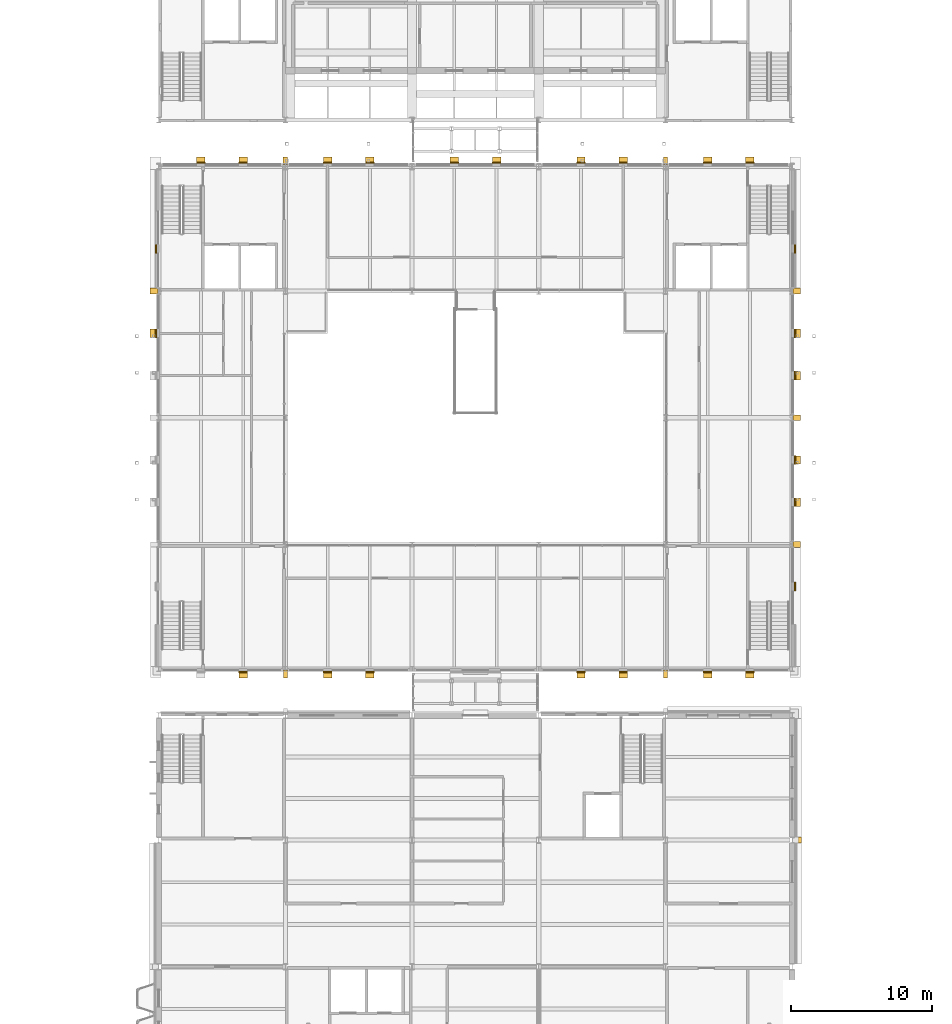
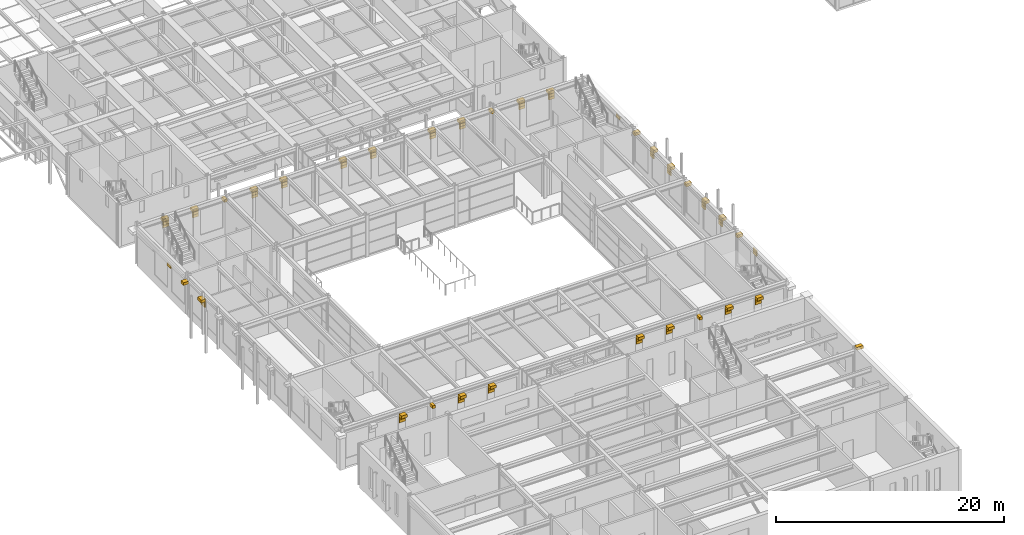
# One storey, part 152 of 153: 79 coverings.
"""IFC4 building model written with IfcOpenShell, lengths in metres."""

from ifc_helpers import new_model, si_unit, direction, frame, origin, origin_2d, place, context, subcontext, project, spatial, rectangle, extrude, material, layer, layer_set, type_object, element, save


model = new_model("IFC4")

# Units and contexts
model_context = context("Model", 3, precision=1e-05, world=origin(), true_north=direction((0.0, 1.0)))
body_context = subcontext(model_context, "Body", "Model", "MODEL_VIEW")
ifc_project = project(units=[si_unit("LENGTHUNIT", "METRE"), si_unit("AREAUNIT", "SQUARE_METRE"), si_unit("VOLUMEUNIT", "CUBIC_METRE"), si_unit("PLANEANGLEUNIT", "RADIAN"), si_unit("MASSUNIT", "GRAM", prefix="KILO")], contexts=[model_context])

# Site, building, storey
site_placement = place(None, origin())
site = spatial("IfcSite", under=ifc_project, at=site_placement, CompositionType="ELEMENT")
building_placement = place(site_placement, origin())
building = spatial("IfcBuilding", under=site, at=building_placement, Name="Kallimachos Central Library", CompositionType="ELEMENT")
storey_placement = place(building_placement, frame((0.0, 0.0, 5.39990234375)))
storey = spatial("IfcBuildingStorey", under=building, at=storey_placement, Name="L01", CompositionType="ELEMENT", Elevation=5.39990234375)

# Coverings
ifc_material_1 = material(Name="Glazed ceramic frieze, green")
ifc_layer_1 = layer(ifc_material_1, 0.10009765625)
ifc_layer_set_1 = layer_set([ifc_layer_1], Name="Glazed ceramic frieze, green")
covering_type_1 = type_object("IfcCoveringType", Name="Glazed ceramic frieze, green", PredefinedType="CLADDING", material=ifc_layer_set_1)
for number, where, z_axis, x_axis, name in (
    (1, (71.5, 47.929931640625, 3.18017578125), (0.0, 0.0, 1.0), (1.0, 0.0, 0.0), "Glazed ceramic frieze, green -L01-015"),
    (2, (77.5, 47.929931640625, 3.18017578125), (0.0, 0.0, 1.0), (1.0, 0.0, 0.0), "Glazed ceramic frieze, green -L01-016"),
    (3, (80.5, 47.929931640625, 3.18017578125), (0.0, 0.0, 1.0), (1.0, 0.0, 0.0), "Glazed ceramic frieze, green -L01-016"),
    (4, (95.5, 47.929931640625, 3.18017578125), (0.0, 0.0, 1.0), (1.0, 0.0, 0.0), "Glazed ceramic frieze, green -L01-018"),
    (5, (98.5, 47.929931640625, 3.18017578125), (0.0, 0.0, 1.0), (1.0, 0.0, 0.0), "Glazed ceramic frieze, green -L01-018"),
    (6, (104.5, 47.929931640625, 3.18017578125), (0.0, 0.0, 1.0), (1.0, 0.0, 0.0), "Glazed ceramic frieze, green -L01-019"),
    (7, (107.5, 47.929931640625, 3.18017578125), (0.0, 0.0, 1.0), (1.0, 0.0, 0.0), "Glazed ceramic frieze, green -L01-019"),
    (8, (68.5, 84.115966796875, 3.1298828125), (0.0, 0.0, 1.0), (1.0, 0.0, 0.0), "Glazed ceramic frieze, green -L01-020"),
    (9, (71.5, 84.115966796875, 3.1298828125), (0.0, 0.0, 1.0), (1.0, 0.0, 0.0), "Glazed ceramic frieze, green -L01-020"),
    (10, (77.5, 84.115966796875, 3.1298828125), (0.0, 0.0, 1.0), (1.0, 0.0, 0.0), "Glazed ceramic frieze, green -L01-021"),
    (11, (80.5, 84.115966796875, 3.1298828125), (0.0, 0.0, 1.0), (1.0, 0.0, 0.0), "Glazed ceramic frieze, green -L01-021"),
    (12, (86.5, 84.115966796875, 3.1298828125), (0.0, 0.0, 1.0), (1.0, 0.0, 0.0), "Glazed ceramic frieze, green -L01-022"),
    (13, (89.5, 84.115966796875, 3.1298828125), (0.0, 0.0, 1.0), (1.0, 0.0, 0.0), "Glazed ceramic frieze, green -L01-022"),
    (14, (95.5, 84.115966796875, 3.1298828125), (0.0, 0.0, 1.0), (1.0, 0.0, 0.0), "Glazed ceramic frieze, green -L01-023"),
    (15, (98.5, 84.115966796875, 3.1298828125), (0.0, 0.0, 1.0), (1.0, 0.0, 0.0), "Glazed ceramic frieze, green -L01-023"),
    (16, (104.5, 84.115966796875, 3.1298828125), (0.0, 0.0, 1.0), (1.0, 0.0, 0.0), "Glazed ceramic frieze, green -L01-024"),
    (17, (107.5, 84.115966796875, 3.1298828125), (0.0, 0.0, 1.0), (1.0, 0.0, 0.0), "Glazed ceramic frieze, green -L01-024"),
):
    element("IfcCovering", number, at=place(storey_placement, frame(where, z_axis=z_axis, x_axis=x_axis)), inside=storey, type_object=covering_type_1, Name=name, PredefinedType="CLADDING", context=body_context, shape_type="SweptSolid", body=[
        extrude(rectangle(XDim=0.60009765625, YDim=0.10009765625, at=origin_2d()), origin(), (0.0, 0.0, 1.0), 0.300048828125),
    ])
for number, where, z_axis, x_axis, name in (
    (18, (65.29541015625, 72.0, 3.1298828125), (0.0, 0.0, 1.0), (1.0, 0.0, 0.0), "Glazed ceramic frieze, green -L01-027"),
    (19, (110.699951171875, 54.0, 3.6298828125), (0.0, 0.0, 1.0), (1.0, 0.0, 0.0), "Glazed ceramic frieze, green -L01-029"),
    (20, (110.699951171875, 60.0, 3.1298828125), (0.0, 0.0, 1.0), (1.0, 0.0, 0.0), "Glazed ceramic frieze, green -L01-030"),
    (21, (110.699951171875, 63.0, 3.1298828125), (0.0, 0.0, 1.0), (1.0, 0.0, 0.0), "Glazed ceramic frieze, green -L01-030"),
    (22, (110.699951171875, 69.0, 3.1298828125), (0.0, 0.0, 1.0), (1.0, 0.0, 0.0), "Glazed ceramic frieze, green -L01-031"),
    (23, (110.699951171875, 72.0, 3.1298828125), (0.0, 0.0, 1.0), (1.0, 0.0, 0.0), "Glazed ceramic frieze, green -L01-031"),
):
    element("IfcCovering", number, at=place(storey_placement, frame(where, z_axis=z_axis, x_axis=x_axis)), inside=storey, type_object=covering_type_1, Name=name, PredefinedType="CLADDING", context=body_context, shape_type="SweptSolid", body=[
        extrude(rectangle(XDim=0.10009765625, YDim=0.60009765625, at=origin_2d()), origin(), (0.0, 0.0, 1.0), 0.300048828125),
    ])
ifc_material_2 = material(Name="Glazed ceramic frieze, ochre")
ifc_layer_2 = layer(ifc_material_2, 0.10009765625)
ifc_layer_set_2 = layer_set([ifc_layer_2], Name="Glazed ceramic frieze, ochre")
covering_type_2 = type_object("IfcCoveringType", Name="Glazed ceramic frieze, ochre", PredefinedType="CLADDING", material=ifc_layer_set_2)
for number, where, z_axis, x_axis, name in (
    (24, (71.5, 47.929931640625, 2.8798828125), (0.0, 0.0, 1.0), (1.0, 0.0, 0.0), "Glazed ceramic frieze, ochre -L01-015"),
    (25, (77.5, 47.929931640625, 2.8798828125), (0.0, 0.0, 1.0), (1.0, 0.0, 0.0), "Glazed ceramic frieze, ochre -L01-016"),
    (26, (80.5, 47.929931640625, 2.8798828125), (0.0, 0.0, 1.0), (1.0, 0.0, 0.0), "Glazed ceramic frieze, ochre -L01-016"),
    (27, (95.5, 47.929931640625, 2.8798828125), (0.0, 0.0, 1.0), (1.0, 0.0, 0.0), "Glazed ceramic frieze, ochre -L01-018"),
    (28, (98.5, 47.929931640625, 2.8798828125), (0.0, 0.0, 1.0), (1.0, 0.0, 0.0), "Glazed ceramic frieze, ochre -L01-018"),
    (29, (104.5, 47.929931640625, 2.8798828125), (0.0, 0.0, 1.0), (1.0, 0.0, 0.0), "Glazed ceramic frieze, ochre -L01-019"),
    (30, (107.5, 47.929931640625, 2.8798828125), (0.0, 0.0, 1.0), (1.0, 0.0, 0.0), "Glazed ceramic frieze, ochre -L01-019"),
    (31, (68.5, 84.115966796875, 2.830078125), (0.0, 0.0, 1.0), (1.0, 0.0, 0.0), "Glazed ceramic frieze, ochre -L01-020"),
    (32, (71.5, 84.115966796875, 2.830078125), (0.0, 0.0, 1.0), (1.0, 0.0, 0.0), "Glazed ceramic frieze, ochre -L01-020"),
    (33, (77.5, 84.115966796875, 2.830078125), (0.0, 0.0, 1.0), (1.0, 0.0, 0.0), "Glazed ceramic frieze, ochre -L01-021"),
    (34, (80.5, 84.115966796875, 2.830078125), (0.0, 0.0, 1.0), (1.0, 0.0, 0.0), "Glazed ceramic frieze, ochre -L01-021"),
    (35, (86.5, 84.115966796875, 2.830078125), (0.0, 0.0, 1.0), (1.0, 0.0, 0.0), "Glazed ceramic frieze, ochre -L01-022"),
    (36, (89.5, 84.115966796875, 2.830078125), (0.0, 0.0, 1.0), (1.0, 0.0, 0.0), "Glazed ceramic frieze, ochre -L01-022"),
    (37, (95.5, 84.115966796875, 2.830078125), (0.0, 0.0, 1.0), (1.0, 0.0, 0.0), "Glazed ceramic frieze, ochre -L01-023"),
    (38, (98.5, 84.115966796875, 2.830078125), (0.0, 0.0, 1.0), (1.0, 0.0, 0.0), "Glazed ceramic frieze, ochre -L01-023"),
    (39, (104.5, 84.115966796875, 2.830078125), (0.0, 0.0, 1.0), (1.0, 0.0, 0.0), "Glazed ceramic frieze, ochre -L01-024"),
    (40, (107.5, 84.115966796875, 2.830078125), (0.0, 0.0, 1.0), (1.0, 0.0, 0.0), "Glazed ceramic frieze, ochre -L01-024"),
):
    element("IfcCovering", number, at=place(storey_placement, frame(where, z_axis=z_axis, x_axis=x_axis)), inside=storey, type_object=covering_type_2, Name=name, PredefinedType="CLADDING", context=body_context, shape_type="SweptSolid", body=[
        extrude(rectangle(XDim=0.60009765625, YDim=0.10009765625, at=origin_2d()), origin(), (0.0, 0.0, 1.0), 0.300048828125),
    ])
for number, where, z_axis, x_axis, name in (
    (41, (65.29541015625, 72.0, 2.830078125), (0.0, 0.0, 1.0), (1.0, 0.0, 0.0), "Glazed ceramic frieze, ochre -L01-027"),
    (42, (65.29638671875, 78.0, 3.3798828125), (0.0, 0.0, 1.0), (1.0, 0.0, 0.0), "Glazed ceramic frieze, ochre -L01-028"),
    (43, (110.699951171875, 54.0, 3.330078125), (0.0, 0.0, 1.0), (1.0, 0.0, 0.0), "Glazed ceramic frieze, ochre -L01-029"),
    (44, (110.699951171875, 60.0, 2.830078125), (0.0, 0.0, 1.0), (1.0, 0.0, 0.0), "Glazed ceramic frieze, ochre -L01-030"),
    (45, (110.699951171875, 63.0, 2.830078125), (0.0, 0.0, 1.0), (1.0, 0.0, 0.0), "Glazed ceramic frieze, ochre -L01-030"),
    (46, (110.699951171875, 69.0, 2.830078125), (0.0, 0.0, 1.0), (1.0, 0.0, 0.0), "Glazed ceramic frieze, ochre -L01-031"),
    (47, (110.699951171875, 72.0, 2.830078125), (0.0, 0.0, 1.0), (1.0, 0.0, 0.0), "Glazed ceramic frieze, ochre -L01-031"),
    (48, (110.70361328125, 78.0, 3.3798828125), (0.0, 0.0, 1.0), (1.0, 0.0, 0.0), "Glazed ceramic frieze, ochre -L01-032"),
):
    element("IfcCovering", number, at=place(storey_placement, frame(where, z_axis=z_axis, x_axis=x_axis)), inside=storey, type_object=covering_type_2, Name=name, PredefinedType="CLADDING", context=body_context, shape_type="SweptSolid", body=[
        extrude(rectangle(XDim=0.10009765625, YDim=0.60009765625, at=origin_2d()), origin(), (0.0, 0.0, 1.0), 0.300048828125),
    ])
ifc_material_3 = material(Name="Pentelic marble cornice", Category="masonry")
ifc_layer_3 = layer(ifc_material_3, 0.449951171875)
ifc_layer_set_3 = layer_set([ifc_layer_3], Name="Stone cornice 450")
covering_type_3 = type_object("IfcCoveringType", Name="Stone cornice 450", PredefinedType="MOLDING", material=ifc_layer_set_3)
for number, where, z_axis, x_axis, name in (
    (49, (71.5, 47.7548828125, 3.5), (0.0, 0.0, 1.0), (1.0, 0.0, 0.0), "Stone cornice 450 -L01-015"),
    (50, (77.5, 47.7548828125, 3.5), (0.0, 0.0, 1.0), (1.0, 0.0, 0.0), "Stone cornice 450 -L01-016"),
    (51, (80.5, 47.7548828125, 3.5), (0.0, 0.0, 1.0), (1.0, 0.0, 0.0), "Stone cornice 450 -L01-016"),
    (52, (95.5, 47.7548828125, 3.5), (0.0, 0.0, 1.0), (1.0, 0.0, 0.0), "Stone cornice 450 -L01-018"),
    (53, (98.5, 47.7548828125, 3.5), (0.0, 0.0, 1.0), (1.0, 0.0, 0.0), "Stone cornice 450 -L01-018"),
    (54, (104.5, 47.7548828125, 3.5), (0.0, 0.0, 1.0), (1.0, 0.0, 0.0), "Stone cornice 450 -L01-019"),
    (55, (107.5, 47.7548828125, 3.5), (0.0, 0.0, 1.0), (1.0, 0.0, 0.0), "Stone cornice 450 -L01-019"),
    (56, (68.5, 84.291015625, 3.4501953125), (0.0, 0.0, 1.0), (1.0, 0.0, 0.0), "Stone cornice 450 -L01-020"),
    (57, (71.5, 84.291015625, 3.4501953125), (0.0, 0.0, 1.0), (1.0, 0.0, 0.0), "Stone cornice 450 -L01-020"),
    (58, (77.5, 84.291015625, 3.4501953125), (0.0, 0.0, 1.0), (1.0, 0.0, 0.0), "Stone cornice 450 -L01-021"),
    (59, (80.5, 84.291015625, 3.4501953125), (0.0, 0.0, 1.0), (1.0, 0.0, 0.0), "Stone cornice 450 -L01-021"),
    (60, (86.5, 84.291015625, 3.4501953125), (0.0, 0.0, 1.0), (1.0, 0.0, 0.0), "Stone cornice 450 -L01-022"),
    (61, (89.5, 84.291015625, 3.4501953125), (0.0, 0.0, 1.0), (1.0, 0.0, 0.0), "Stone cornice 450 -L01-022"),
    (62, (95.5, 84.291015625, 3.4501953125), (0.0, 0.0, 1.0), (1.0, 0.0, 0.0), "Stone cornice 450 -L01-023"),
    (63, (98.5, 84.291015625, 3.4501953125), (0.0, 0.0, 1.0), (1.0, 0.0, 0.0), "Stone cornice 450 -L01-023"),
    (64, (104.5, 84.291015625, 3.4501953125), (0.0, 0.0, 1.0), (1.0, 0.0, 0.0), "Stone cornice 450 -L01-024"),
    (65, (107.5, 84.291015625, 3.4501953125), (0.0, 0.0, 1.0), (1.0, 0.0, 0.0), "Stone cornice 450 -L01-024"),
):
    element("IfcCovering", number, at=place(storey_placement, frame(where, z_axis=z_axis, x_axis=x_axis)), inside=storey, type_object=covering_type_3, Name=name, PredefinedType="MOLDING", context=body_context, shape_type="SweptSolid", body=[
        extrude(rectangle(XDim=0.60009765625, YDim=0.449951171875, at=origin_2d()), origin(), (0.0, 0.0, 1.0), 0.300048828125),
    ])
for number, where, z_axis, x_axis, name in (
    (66, (65.12060546875, 72.0, 3.4501953125), (0.0, 0.0, 1.0), (1.0, 0.0, 0.0), "Stone cornice 450 -L01-027"),
    (67, (110.875, 60.0, 3.4501953125), (0.0, 0.0, 1.0), (1.0, 0.0, 0.0), "Stone cornice 450 -L01-030"),
    (68, (110.875, 63.0, 3.4501953125), (0.0, 0.0, 1.0), (1.0, 0.0, 0.0), "Stone cornice 450 -L01-030"),
    (69, (110.875, 69.0, 3.4501953125), (0.0, 0.0, 1.0), (1.0, 0.0, 0.0), "Stone cornice 450 -L01-031"),
    (70, (110.875, 72.0, 3.4501953125), (0.0, 0.0, 1.0), (1.0, 0.0, 0.0), "Stone cornice 450 -L01-031"),
):
    element("IfcCovering", number, at=place(storey_placement, frame(where, z_axis=z_axis, x_axis=x_axis)), inside=storey, type_object=covering_type_3, Name=name, PredefinedType="MOLDING", context=body_context, shape_type="SweptSolid", body=[
        extrude(rectangle(XDim=0.449951171875, YDim=0.60009765625, at=origin_2d()), origin(), (0.0, 0.0, 1.0), 0.300048828125),
    ])
covering_1_placement = place(storey_placement, frame((110.824951171875, 36.0, 4.2001953125), z_axis=(0.0, 0.0, 1.0), x_axis=(1.0, 0.0, 0.0)))
element("IfcCovering", 71, at=covering_1_placement, inside=storey, type_object=covering_type_3, Name="Stone cornice 450 -L01-024", PredefinedType="MOLDING", context=body_context, shape_type="SweptSolid", body=[
    extrude(rectangle(XDim=0.64990234375, YDim=0.39990234375, at=origin_2d()), origin(), (0.0, 0.0, 1.0), 0.300048828125),
])
for number, where, z_axis, x_axis, name in (
    (72, (74.5, 47.804931640625, 3.5), (0.0, 0.0, 1.0), (1.0, 0.0, 0.0), "Stone cornice 450 -L01-015"),
    (73, (101.5, 47.804931640625, 3.5), (0.0, 0.0, 1.0), (1.0, 0.0, 0.0), "Stone cornice 450 -L01-018"),
):
    element("IfcCovering", number, at=place(storey_placement, frame(where, z_axis=z_axis, x_axis=x_axis)), inside=storey, type_object=covering_type_3, Name=name, PredefinedType="MOLDING", context=body_context, shape_type="SweptSolid", body=[
        extrude(rectangle(XDim=0.300048828125, YDim=0.550048828125, at=origin_2d()), origin(), (0.0, 0.0, 1.0), 0.300048828125),
    ])
for number, where, z_axis, x_axis, name in (
    (74, (74.5, 84.240966796875, 3.4501953125), (0.0, 0.0, 1.0), (1.0, 0.0, 0.0), "Stone cornice 450 -L01-020"),
    (75, (101.5, 84.240966796875, 3.4501953125), (0.0, 0.0, 1.0), (1.0, 0.0, 0.0), "Stone cornice 450 -L01-023"),
):
    element("IfcCovering", number, at=place(storey_placement, frame(where, z_axis=z_axis, x_axis=x_axis)), inside=storey, type_object=covering_type_3, Name=name, PredefinedType="MOLDING", context=body_context, shape_type="SweptSolid", body=[
        extrude(rectangle(XDim=0.306884765625, YDim=0.550048828125, at=origin_2d()), origin(), (0.0, 0.0, 1.0), 0.300048828125),
    ])
covering_2_placement = place(storey_placement, frame((65.17041015625, 75.0, 3.4501953125), z_axis=(0.0, 0.0, 1.0), x_axis=(1.0, 0.0, 0.0)))
element("IfcCovering", 76, at=covering_2_placement, inside=storey, type_object=covering_type_3, Name="Stone cornice 450 -L01-027", PredefinedType="MOLDING", context=body_context, shape_type="SweptSolid", body=[
    extrude(rectangle(XDim=0.550048828125, YDim=0.431884765625, at=origin_2d()), origin(), (0.0, 0.0, 1.0), 0.300048828125),
])
for number, where, z_axis, x_axis, name in (
    (77, (110.824951171875, 57.0, 3.4501953125), (0.0, 0.0, 1.0), (1.0, 0.0, 0.0), "Stone cornice 450 -L01-029"),
    (78, (110.824951171875, 66.0, 3.4501953125), (0.0, 0.0, 1.0), (1.0, 0.0, 0.0), "Stone cornice 450 -L01-030"),
):
    element("IfcCovering", number, at=place(storey_placement, frame(where, z_axis=z_axis, x_axis=x_axis)), inside=storey, type_object=covering_type_3, Name=name, PredefinedType="MOLDING", context=body_context, shape_type="SweptSolid", body=[
        extrude(rectangle(XDim=0.550048828125, YDim=0.39990234375, at=origin_2d()), origin(), (0.0, 0.0, 1.0), 0.300048828125),
    ])
covering_3_placement = place(storey_placement, frame((110.824951171875, 75.0, 3.4501953125), z_axis=(0.0, 0.0, 1.0), x_axis=(1.0, 0.0, 0.0)))
element("IfcCovering", 79, at=covering_3_placement, inside=storey, type_object=covering_type_3, Name="Stone cornice 450 -L01-031", PredefinedType="MOLDING", context=body_context, shape_type="SweptSolid", body=[
    extrude(rectangle(XDim=0.550048828125, YDim=0.431884765625, at=origin_2d()), origin(), (0.0, 0.0, 1.0), 0.300048828125),
])

save(model, "model.ifc")
